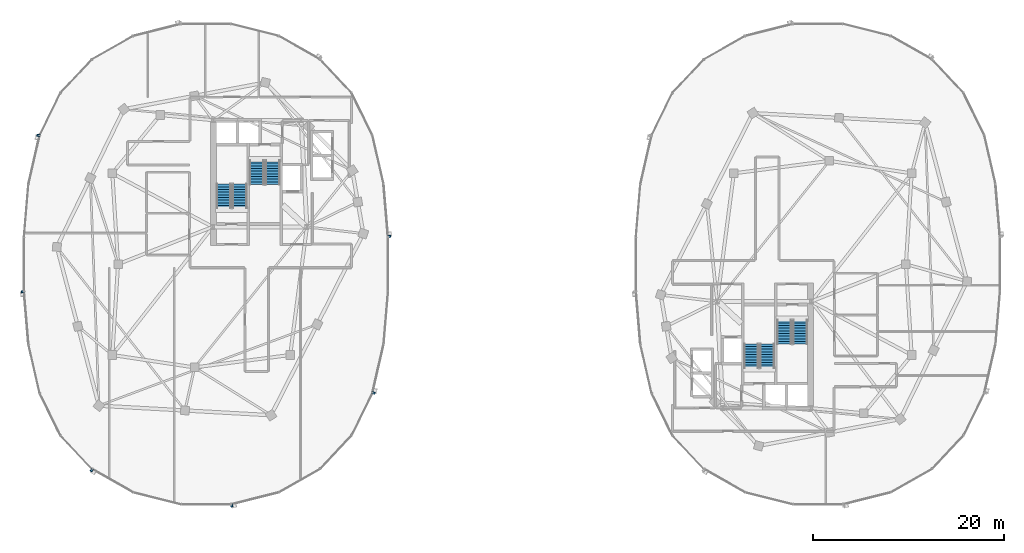
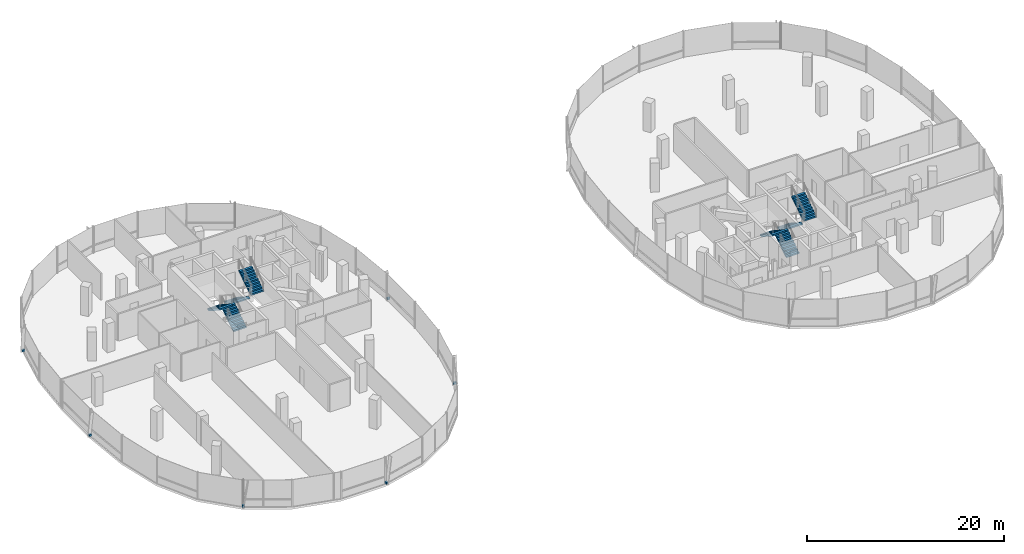
# One storey, part 18 of 25: 8 stair flights, 6 discrete accessories, 4 elements without a shape of their own.
"""IFC4 building model written with IfcOpenShell, lengths in metres."""

from ifc_helpers import new_model, si_unit, direction, frame, origin, origin_2d, place, context, subcontext, project, spatial, polyline, rectangle, outline, extrude, material, type_object, element, aggregate, save


model = new_model("IFC4")

# Units and contexts
model_context = context("Model", 3, precision=1e-05, world=origin(), true_north=direction((0.0, 1.0)))
body_context = subcontext(model_context, "Body", "Model", "MODEL_VIEW")
ifc_project = project(units=[si_unit("LENGTHUNIT", "METRE"), si_unit("AREAUNIT", "SQUARE_METRE"), si_unit("VOLUMEUNIT", "CUBIC_METRE"), si_unit("PLANEANGLEUNIT", "RADIAN"), si_unit("MASSUNIT", "GRAM", prefix="KILO"), si_unit("THERMODYNAMICTEMPERATUREUNIT", "KELVIN"), si_unit("POWERUNIT", "WATT")], contexts=[model_context])

# Site, building, storey
site_placement = place(None, origin())
site = spatial("IfcSite", under=ifc_project, at=site_placement, CompositionType="ELEMENT")
building_placement = place(site_placement, origin())
building = spatial("IfcBuilding", under=site, at=building_placement, Name="Cundina Bronze Exchange", CompositionType="ELEMENT")
storey_placement = place(building_placement, frame((0.0, 0.0, 191.800048828125)))
storey = spatial("IfcBuildingStorey", under=building, at=storey_placement, Name="L50", CompositionType="ELEMENT", Elevation=191.800048828125)

# Stair, stair flights
ifc_material_1 = material(Name="Concrete C40/50", Category="concrete")
stair_type = type_object("IfcStairType", Name="STR-OFF-360", PredefinedType="HALF_TURN_STAIR", material=ifc_material_1)
stair_1_placement = place(storey_placement, origin())
stair_1 = element("IfcStair", 1, at=stair_1_placement, inside=storey, type_object=stair_type, Name="L50 Smokeproof Exit Stair W1", PredefinedType="HALF_TURN_STAIR")
stair_flight_type = type_object("IfcStairFlightType", Name="FLG-OFF-180", PredefinedType="STRAIGHT", material=ifc_material_1)
stair_flight_1_placement = place(storey_placement, frame((-28.489990234375, 5.85009765625, 0.0), z_axis=(0.0, 0.0, 1.0), x_axis=(0.0, 1.0, 0.0)))
stair_flight_1 = element("IfcStairFlight", 2, at=stair_flight_1_placement, type_object=stair_flight_type, Name="ST-W1 flight 1", NumberOfRisers=10, NumberOfTreads=9, PredefinedType="STRAIGHT", RiserHeight=0.18, TreadLength=0.28, context=body_context, shape_type="SweptSolid", body=[
    extrude(outline(polyline([(0.0, 0.0), (0.0, 0.179931640625), (0.280029296875, 0.179931640625), (0.280029296875, 0.360107421875), (0.56005859375, 0.360107421875), (0.56005859375, 0.5400390625), (0.840087890625, 0.5400390625), (0.840087890625, 0.719970703125), (1.1201171875, 0.719970703125), (1.1201171875, 0.89990234375), (1.39990234375, 0.89990234375), (1.39990234375, 1.080078125), (1.679931640625, 1.080078125), (1.679931640625, 1.260009765625), (1.9599609375, 1.260009765625), (1.9599609375, 1.43994140625), (2.239990234375, 1.43994140625), (2.239990234375, 1.6201171875), (2.52001953125, 1.6201171875), (2.52001953125, 1.800048828125), (2.52001953125, 1.44189453125), (0.277099609375, 0.0), (0.0, 0.0)])), frame((0.0, 0.75, 0.0), z_axis=(0.0, -1.0, 0.0), x_axis=(1.0, 0.0, 0.0)), (0.0, 0.0, 1.0), 1.5),
])
stair_flight_2_placement = place(storey_placement, frame((-30.14990234375, 8.3701171875, 1.800048828125), z_axis=(0.0, 0.0, 1.0), x_axis=(0.0, -1.0, 0.0)))
stair_flight_2 = element("IfcStairFlight", 3, at=stair_flight_2_placement, type_object=stair_flight_type, Name="ST-W1 flight 2", NumberOfRisers=10, NumberOfTreads=9, PredefinedType="STRAIGHT", RiserHeight=0.18, TreadLength=0.28, context=body_context, shape_type="SweptSolid", body=[
    extrude(outline(polyline([(0.0, 0.0), (0.0, 0.179931640625), (0.280029296875, 0.179931640625), (0.280029296875, 0.360107421875), (0.56005859375, 0.360107421875), (0.56005859375, 0.5400390625), (0.840087890625, 0.5400390625), (0.840087890625, 0.719970703125), (1.1201171875, 0.719970703125), (1.1201171875, 0.89990234375), (1.39990234375, 0.89990234375), (1.39990234375, 1.080078125), (1.679931640625, 1.080078125), (1.679931640625, 1.260009765625), (1.9599609375, 1.260009765625), (1.9599609375, 1.43994140625), (2.239990234375, 1.43994140625), (2.239990234375, 1.6201171875), (2.52001953125, 1.6201171875), (2.52001953125, 1.800048828125), (2.52001953125, 1.44189453125), (0.277099609375, 0.0), (0.0, 0.0)])), frame((0.0, 0.75, 0.0), z_axis=(0.0, -1.0, 0.0), x_axis=(1.0, 0.0, 0.0)), (0.0, 0.0, 1.0), 1.5),
])
aggregate(stair_1, [stair_flight_1, stair_flight_2])

stair_2_placement = place(storey_placement, origin())
stair_2 = element("IfcStair", 4, at=stair_2_placement, inside=storey, type_object=stair_type, Name="L50 Smokeproof Exit Stair W2", PredefinedType="HALF_TURN_STAIR")
stair_flight_3_placement = place(storey_placement, frame((-26.68994140625, 10.85009765625, 0.0), z_axis=(0.0, 0.0, 1.0), x_axis=(0.0, -1.0, 0.0)))
stair_flight_3 = element("IfcStairFlight", 5, at=stair_flight_3_placement, type_object=stair_flight_type, Name="ST-W2 flight 1", NumberOfRisers=10, NumberOfTreads=9, PredefinedType="STRAIGHT", RiserHeight=0.18, TreadLength=0.28, context=body_context, shape_type="SweptSolid", body=[
    extrude(outline(polyline([(0.0, 0.0), (0.0, 0.179931640625), (0.280029296875, 0.179931640625), (0.280029296875, 0.360107421875), (0.56005859375, 0.360107421875), (0.56005859375, 0.5400390625), (0.840087890625, 0.5400390625), (0.840087890625, 0.719970703125), (1.1201171875, 0.719970703125), (1.1201171875, 0.89990234375), (1.39990234375, 0.89990234375), (1.39990234375, 1.080078125), (1.679931640625, 1.080078125), (1.679931640625, 1.260009765625), (1.9599609375, 1.260009765625), (1.9599609375, 1.43994140625), (2.239990234375, 1.43994140625), (2.239990234375, 1.6201171875), (2.52001953125, 1.6201171875), (2.52001953125, 1.800048828125), (2.52001953125, 1.44189453125), (0.277099609375, 0.0), (0.0, 0.0)])), frame((0.0, 0.75, 0.0), z_axis=(0.0, -1.0, 0.0), x_axis=(1.0, 0.0, 0.0)), (0.0, 0.0, 1.0), 1.5),
])
stair_flight_4_placement = place(storey_placement, frame((-25.030029296875, 8.330078125, 1.800048828125), z_axis=(0.0, 0.0, 1.0), x_axis=(0.0, 1.0, 0.0)))
stair_flight_4 = element("IfcStairFlight", 6, at=stair_flight_4_placement, type_object=stair_flight_type, Name="ST-W2 flight 2", NumberOfRisers=10, NumberOfTreads=9, PredefinedType="STRAIGHT", RiserHeight=0.18, TreadLength=0.28, context=body_context, shape_type="SweptSolid", body=[
    extrude(outline(polyline([(0.0, 0.0), (0.0, 0.179931640625), (0.280029296875, 0.179931640625), (0.280029296875, 0.360107421875), (0.56005859375, 0.360107421875), (0.56005859375, 0.5400390625), (0.840087890625, 0.5400390625), (0.840087890625, 0.719970703125), (1.1201171875, 0.719970703125), (1.1201171875, 0.89990234375), (1.39990234375, 0.89990234375), (1.39990234375, 1.080078125), (1.679931640625, 1.080078125), (1.679931640625, 1.260009765625), (1.9599609375, 1.260009765625), (1.9599609375, 1.43994140625), (2.239990234375, 1.43994140625), (2.239990234375, 1.6201171875), (2.52001953125, 1.6201171875), (2.52001953125, 1.800048828125), (2.52001953125, 1.44189453125), (0.277099609375, 0.0), (0.0, 0.0)])), frame((0.0, 0.75, 0.0), z_axis=(0.0, -1.0, 0.0), x_axis=(1.0, 0.0, 0.0)), (0.0, 0.0, 1.0), 1.5),
])
aggregate(stair_2, [stair_flight_3, stair_flight_4])

stair_3_placement = place(storey_placement, origin())
stair_3 = element("IfcStair", 7, at=stair_3_placement, inside=storey, type_object=stair_type, Name="L50 Smokeproof Exit Stair E1", PredefinedType="HALF_TURN_STAIR")
stair_flight_5_placement = place(storey_placement, frame((28.489990234375, -5.85009765625, 0.0), z_axis=(0.0, 0.0, 1.0), x_axis=(0.0, -1.0, 0.0)))
stair_flight_5 = element("IfcStairFlight", 8, at=stair_flight_5_placement, type_object=stair_flight_type, Name="ST-E1 flight 1", NumberOfRisers=10, NumberOfTreads=9, PredefinedType="STRAIGHT", RiserHeight=0.18, TreadLength=0.28, context=body_context, shape_type="SweptSolid", body=[
    extrude(outline(polyline([(0.0, 0.0), (0.0, 0.179931640625), (0.280029296875, 0.179931640625), (0.280029296875, 0.360107421875), (0.56005859375, 0.360107421875), (0.56005859375, 0.5400390625), (0.840087890625, 0.5400390625), (0.840087890625, 0.719970703125), (1.1201171875, 0.719970703125), (1.1201171875, 0.89990234375), (1.39990234375, 0.89990234375), (1.39990234375, 1.080078125), (1.679931640625, 1.080078125), (1.679931640625, 1.260009765625), (1.9599609375, 1.260009765625), (1.9599609375, 1.43994140625), (2.239990234375, 1.43994140625), (2.239990234375, 1.6201171875), (2.52001953125, 1.6201171875), (2.52001953125, 1.800048828125), (2.52001953125, 1.44189453125), (0.277099609375, 0.0), (0.0, 0.0)])), frame((0.0, 0.75, 0.0), z_axis=(0.0, -1.0, 0.0), x_axis=(1.0, 0.0, 0.0)), (0.0, 0.0, 1.0), 1.5),
])
stair_flight_6_placement = place(storey_placement, frame((30.14990234375, -8.3701171875, 1.800048828125), z_axis=(0.0, 0.0, 1.0), x_axis=(0.0, 1.0, 0.0)))
stair_flight_6 = element("IfcStairFlight", 9, at=stair_flight_6_placement, type_object=stair_flight_type, Name="ST-E1 flight 2", NumberOfRisers=10, NumberOfTreads=9, PredefinedType="STRAIGHT", RiserHeight=0.18, TreadLength=0.28, context=body_context, shape_type="SweptSolid", body=[
    extrude(outline(polyline([(0.0, 0.0), (0.0, 0.179931640625), (0.280029296875, 0.179931640625), (0.280029296875, 0.360107421875), (0.56005859375, 0.360107421875), (0.56005859375, 0.5400390625), (0.840087890625, 0.5400390625), (0.840087890625, 0.719970703125), (1.1201171875, 0.719970703125), (1.1201171875, 0.89990234375), (1.39990234375, 0.89990234375), (1.39990234375, 1.080078125), (1.679931640625, 1.080078125), (1.679931640625, 1.260009765625), (1.9599609375, 1.260009765625), (1.9599609375, 1.43994140625), (2.239990234375, 1.43994140625), (2.239990234375, 1.6201171875), (2.52001953125, 1.6201171875), (2.52001953125, 1.800048828125), (2.52001953125, 1.44189453125), (0.277099609375, 0.0), (0.0, 0.0)])), frame((0.0, 0.75, 0.0), z_axis=(0.0, -1.0, 0.0), x_axis=(1.0, 0.0, 0.0)), (0.0, 0.0, 1.0), 1.5),
])
aggregate(stair_3, [stair_flight_5, stair_flight_6])

stair_4_placement = place(storey_placement, origin())
stair_4 = element("IfcStair", 10, at=stair_4_placement, inside=storey, type_object=stair_type, Name="L50 Smokeproof Exit Stair E2", PredefinedType="HALF_TURN_STAIR")
stair_flight_7_placement = place(storey_placement, frame((26.68994140625, -10.85009765625, 0.0), z_axis=(0.0, 0.0, 1.0), x_axis=(0.0, 1.0, 0.0)))
stair_flight_7 = element("IfcStairFlight", 11, at=stair_flight_7_placement, type_object=stair_flight_type, Name="ST-E2 flight 1", NumberOfRisers=10, NumberOfTreads=9, PredefinedType="STRAIGHT", RiserHeight=0.18, TreadLength=0.28, context=body_context, shape_type="SweptSolid", body=[
    extrude(outline(polyline([(0.0, 0.0), (0.0, 0.179931640625), (0.280029296875, 0.179931640625), (0.280029296875, 0.360107421875), (0.56005859375, 0.360107421875), (0.56005859375, 0.5400390625), (0.840087890625, 0.5400390625), (0.840087890625, 0.719970703125), (1.1201171875, 0.719970703125), (1.1201171875, 0.89990234375), (1.39990234375, 0.89990234375), (1.39990234375, 1.080078125), (1.679931640625, 1.080078125), (1.679931640625, 1.260009765625), (1.9599609375, 1.260009765625), (1.9599609375, 1.43994140625), (2.239990234375, 1.43994140625), (2.239990234375, 1.6201171875), (2.52001953125, 1.6201171875), (2.52001953125, 1.800048828125), (2.52001953125, 1.44189453125), (0.277099609375, 0.0), (0.0, 0.0)])), frame((0.0, 0.75, 0.0), z_axis=(0.0, -1.0, 0.0), x_axis=(1.0, 0.0, 0.0)), (0.0, 0.0, 1.0), 1.5),
])
stair_flight_8_placement = place(storey_placement, frame((25.030029296875, -8.330078125, 1.800048828125), z_axis=(0.0, 0.0, 1.0), x_axis=(0.0, -1.0, 0.0)))
stair_flight_8 = element("IfcStairFlight", 12, at=stair_flight_8_placement, type_object=stair_flight_type, Name="ST-E2 flight 2", NumberOfRisers=10, NumberOfTreads=9, PredefinedType="STRAIGHT", RiserHeight=0.18, TreadLength=0.28, context=body_context, shape_type="SweptSolid", body=[
    extrude(outline(polyline([(0.0, 0.0), (0.0, 0.179931640625), (0.280029296875, 0.179931640625), (0.280029296875, 0.360107421875), (0.56005859375, 0.360107421875), (0.56005859375, 0.5400390625), (0.840087890625, 0.5400390625), (0.840087890625, 0.719970703125), (1.1201171875, 0.719970703125), (1.1201171875, 0.89990234375), (1.39990234375, 0.89990234375), (1.39990234375, 1.080078125), (1.679931640625, 1.080078125), (1.679931640625, 1.260009765625), (1.9599609375, 1.260009765625), (1.9599609375, 1.43994140625), (2.239990234375, 1.43994140625), (2.239990234375, 1.6201171875), (2.52001953125, 1.6201171875), (2.52001953125, 1.800048828125), (2.52001953125, 1.44189453125), (0.277099609375, 0.0), (0.0, 0.0)])), frame((0.0, 0.75, 0.0), z_axis=(0.0, -1.0, 0.0), x_axis=(1.0, 0.0, 0.0)), (0.0, 0.0, 1.0), 1.5),
])
aggregate(stair_4, [stair_flight_7, stair_flight_8])

# Discrete accessories
ifc_material_2 = material(Name="Anodised Bronze Aluminium 6063-T6", Category="aluminium")
discrete_accessory_type = type_object("IfcDiscreteAccessoryType", Name="ACC-BRK-FIN", PredefinedType="BRACKET", material=ifc_material_2)
for number, where, z_axis, x_axis, name in (
    (13, (-12.84521484375, 2.893798828125, 0.10009765625), (0.0, 0.0, 1.0), (-0.083747411454, 0.996487015006, 0.0), "L50 Fin Support Bracket 1"),
    (14, (-49.529541015625, 13.468505859375, 0.10009765625), (0.0, 0.0, 1.0), (-0.223284141459, -0.974753400698, 0.0), "L50 Fin Support Bracket 5"),
    (15, (-51.15478515625, -2.893798828125, 0.10009765625), (0.0, 0.0, 1.0), (0.083747411454, -0.996487015006, 0.0), "L50 Fin Support Bracket 1"),
    (16, (-43.961181640625, -21.539794921875, 0.10009765625), (0.0, 0.0, 1.0), (0.869572506985, -0.493805280547, 0.0), "L50 Fin Support Bracket 5"),
    (17, (-29.321044921875, -25.23779296875, 0.10009765625), (0.0, 0.0, 1.0), (0.969731542251, 0.244173577528, 0.0), "L50 Fin Support Bracket 1"),
    (18, (-14.470458984375, -13.468505859375, 0.10009765625), (0.0, 0.0, 1.0), (0.223284141459, 0.974753400698, 0.0), "L50 Fin Support Bracket 5"),
):
    element("IfcDiscreteAccessory", number, at=place(storey_placement, frame(where, z_axis=z_axis, x_axis=x_axis)), inside=storey, type_object=discrete_accessory_type, Name=name, PredefinedType="BRACKET", context=body_context, shape_type="SweptSolid", body=[
        extrude(rectangle(XDim=0.219970703125, YDim=0.320068359375, at=origin_2d()), origin(), (0.0, 0.0, 1.0), 0.239990234375),
    ])

save(model, "model.ifc")
